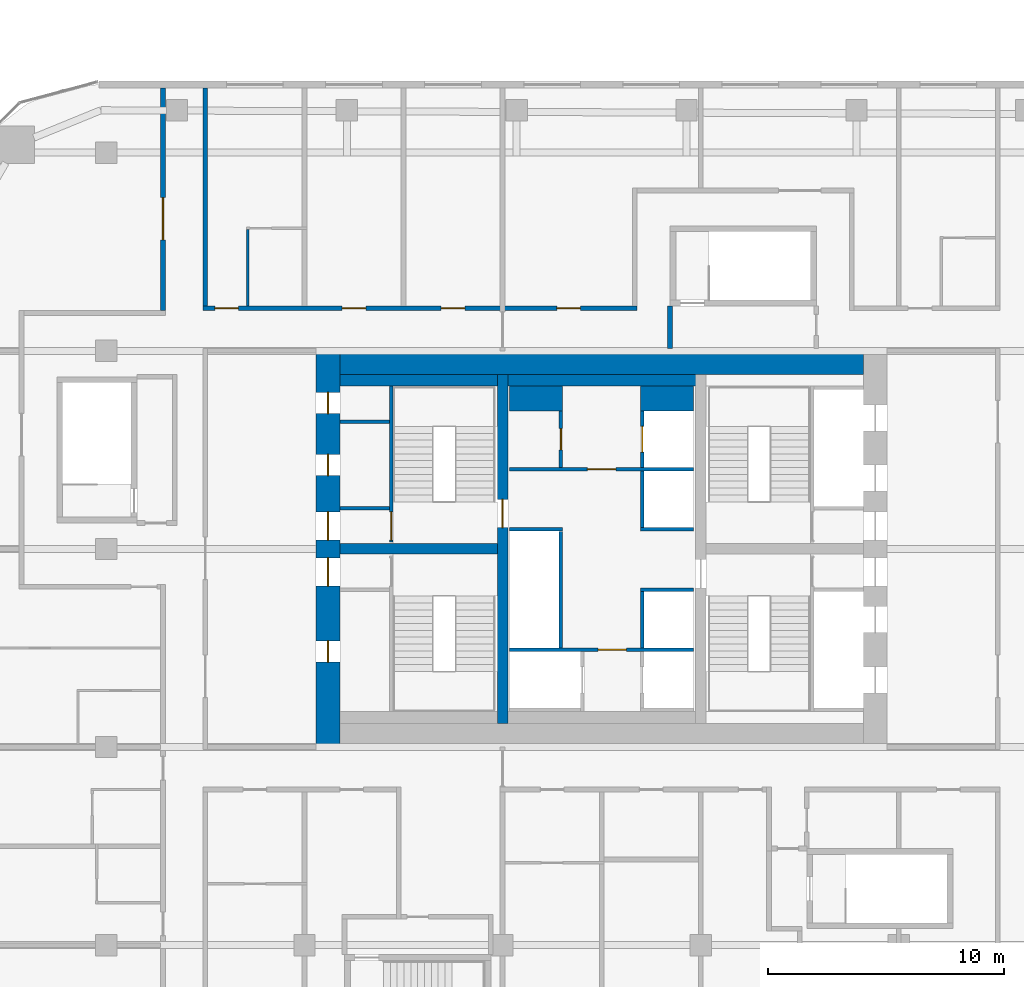
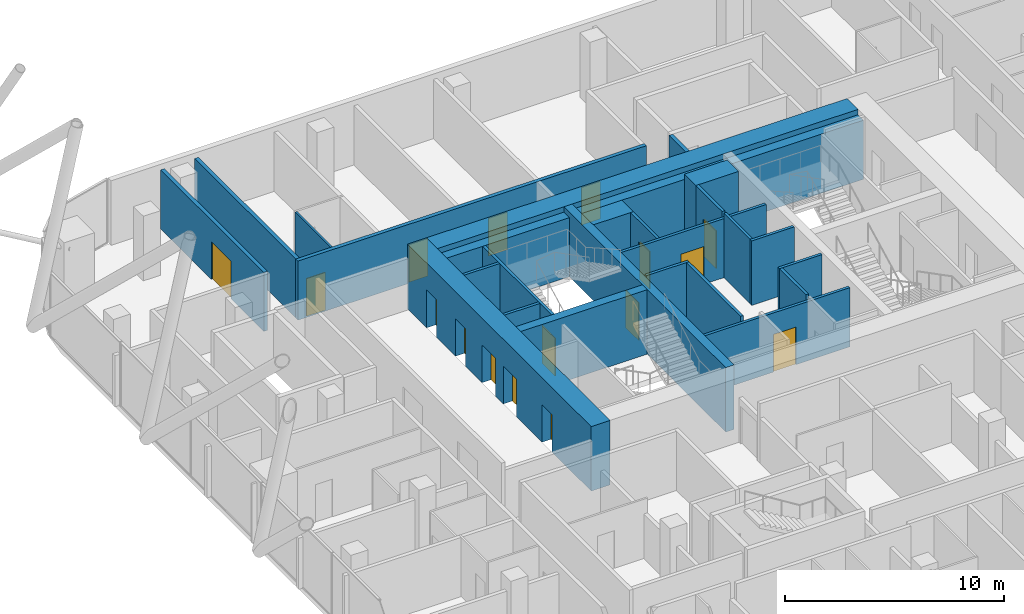
# One storey, part 30 of 34: 25 walls, 16 doors, 16 openings.
"""IFC4 building model written with IfcOpenShell, lengths in metres."""

from ifc_helpers import new_model, si_unit, direction, frame, frame_2d, origin, place, context, subcontext, project, spatial, rectangle, extrude, material, layer, layer_set, type_object, element, fill, save


model = new_model("IFC4")

# Units and contexts
model_context = context("Model", 3, precision=1e-05, world=origin(), true_north=direction((0.0, 1.0)))
body_context = subcontext(model_context, "Body", "Model", "MODEL_VIEW")
ifc_project = project(units=[si_unit("LENGTHUNIT", "METRE"), si_unit("AREAUNIT", "SQUARE_METRE"), si_unit("VOLUMEUNIT", "CUBIC_METRE"), si_unit("PLANEANGLEUNIT", "RADIAN"), si_unit("MASSUNIT", "GRAM", prefix="KILO")], contexts=[model_context])

# Site, building, storey
site_placement = place(None, origin())
site = spatial("IfcSite", under=ifc_project, at=site_placement, CompositionType="ELEMENT")
building_placement = place(site_placement, origin())
building = spatial("IfcBuilding", under=site, at=building_placement, Name="Marenta Gate Hotel Tower", CompositionType="ELEMENT")
storey_placement = place(building_placement, frame((0.0, 0.0, 166.10009765625)))
storey = spatial("IfcBuildingStorey", under=building, at=storey_placement, Name="L39", CompositionType="ELEMENT", Elevation=166.10009765625)

# Wall
ifc_material_1 = material(Name="Concrete C40", Category="concrete")
ifc_layer_1 = layer(ifc_material_1, 0.5)
ifc_layer_set_1 = layer_set([ifc_layer_1], Name="Concrete C40")
wall_type_1 = type_object("IfcWallType", Name="Core lining wall 500 REI 180", PredefinedType="PARTITIONING", material=ifc_layer_set_1)
wall_1_placement = place(storey_placement, frame((-11.10009765625, 15.550048828125, 0.0), z_axis=(0.0, 0.0, 1.0), x_axis=(1.0, 0.0, 0.0)))
element("IfcWall", 1, at=wall_1_placement, inside=storey, type_object=wall_type_1, Name="L39-CP-LN-N", PredefinedType="PARTITIONING", context=body_context, shape_type="SweptSolid", body=[
    extrude(rectangle(XDim=22.2001953125, YDim=0.5, at=frame_2d((11.10009765625, 0.0))), origin(), (0.0, 0.0, 1.0), 3.2998046875),
])

# Wall, opening, door
ifc_material_2 = material(Name="Concrete blockwork", Category="masonry")
ifc_layer_2 = layer(ifc_material_2, 0.14990234375)
ifc_layer_set_2 = layer_set([ifc_layer_2], Name="Concrete blockwork")
wall_type_2 = type_object("IfcWallType", Name="Core lobby partition 150 REI 180", PredefinedType="PARTITIONING", material=ifc_layer_set_2)
wall_2_placement = place(storey_placement, frame((-3.89990234375, 4.125, 0.0), z_axis=(0.0, 0.0, 1.0), x_axis=(1.0, 0.0, 0.0)))
wall_2 = element("IfcWall", 2, at=wall_2_placement, inside=storey, type_object=wall_type_2, Name="L39-CP-CW-S", PredefinedType="PARTITIONING", context=body_context, shape_type="SweptSolid", body=[
    extrude(rectangle(XDim=7.7998046875, YDim=0.14990234375, at=frame_2d((3.89990234375, 0.0))), origin(), (0.0, 0.0, 1.0), 3.2998046875),
])
opening_1_placement = place(wall_2_placement, frame((3.75, 0.0, 0.0)))
opening_1 = element("IfcOpeningElement", 3, at=opening_1_placement, cuts=wall_2, Name="Opening FD-FFS", PredefinedType="OPENING", context=body_context, shape_type="SweptSolid", body=[
    extrude(rectangle(XDim=1.199951171875, YDim=2.10009765625, at=frame_2d((0.60009765625, 1.050048828125))), frame((0.0, 0.074951171875, 0.0), z_axis=(0.0, -1.0, 0.0), x_axis=(1.0, 0.0, 0.0)), (0.0, 0.0, 1.0), 0.14990234375),
])
ifc_material_3 = material(Name="Steel", Category="steel")
door_type_1 = type_object("IfcDoorType", Name="Core lobby door 1200x2100 FD60", OperationType="SINGLE_SWING_LEFT", PredefinedType="DOOR", material=ifc_material_3)
door_1_placement = place(opening_1_placement, origin())
door_1 = element("IfcDoor", 4, at=door_1_placement, inside=storey, type_object=door_type_1, Name="FD-FFS", OperationType="SINGLE_SWING_LEFT", OverallHeight=2.10009765625, OverallWidth=1.199951171875, PredefinedType="DOOR", context=body_context, shape_type="SweptSolid", body=[
    extrude(rectangle(XDim=1.199951171875, YDim=2.10009765625, at=frame_2d((0.60009765625, 1.050048828125))), frame((0.0, 0.02490234375, 0.0), z_axis=(0.0, -1.0, 0.0), x_axis=(1.0, 0.0, 0.0)), (0.0, 0.0, 1.0), 0.050048828125),
])
fill(opening_1, door_1)

wall_3_placement = place(storey_placement, frame((-3.89990234375, 11.77490234375, 0.0), z_axis=(0.0, 0.0, 1.0), x_axis=(1.0, 0.0, 0.0)))
wall_3 = element("IfcWall", 5, at=wall_3_placement, inside=storey, type_object=wall_type_2, Name="L39-CP-CW-N", PredefinedType="PARTITIONING", context=body_context, shape_type="SweptSolid", body=[
    extrude(rectangle(XDim=7.7998046875, YDim=0.14990234375, at=frame_2d((3.89990234375, 0.0))), origin(), (0.0, 0.0, 1.0), 3.2998046875),
])
opening_2_placement = place(wall_3_placement, frame((3.300048828125, 0.0, 0.0)))
opening_2 = element("IfcOpeningElement", 6, at=opening_2_placement, cuts=wall_3, Name="Opening FD-FFN", PredefinedType="OPENING", context=body_context, shape_type="SweptSolid", body=[
    extrude(rectangle(XDim=1.199951171875, YDim=2.10009765625, at=frame_2d((0.60009765625, 1.050048828125))), frame((0.0, 0.074951171875, 0.0), z_axis=(0.0, -1.0, 0.0), x_axis=(1.0, 0.0, 0.0)), (0.0, 0.0, 1.0), 0.14990234375),
])
door_2_placement = place(opening_2_placement, origin())
door_2 = element("IfcDoor", 7, at=door_2_placement, inside=storey, type_object=door_type_1, Name="FD-FFN", OperationType="SINGLE_SWING_LEFT", OverallHeight=2.10009765625, OverallWidth=1.199951171875, PredefinedType="DOOR", context=body_context, shape_type="SweptSolid", body=[
    extrude(rectangle(XDim=1.199951171875, YDim=2.10009765625, at=frame_2d((0.60009765625, 1.050048828125))), frame((0.0, 0.02490234375, 0.0), z_axis=(0.0, -1.0, 0.0), x_axis=(1.0, 0.0, 0.0)), (0.0, 0.0, 1.0), 0.050048828125),
])
fill(opening_2, door_2)

# Walls
ifc_material_4 = material(Name="Concrete blockwork", Category="masonry")
ifc_layer_3 = layer(ifc_material_4, 1.050048828125)
ifc_layer_set_3 = layer_set([ifc_layer_3], Name="Concrete blockwork")
wall_type_3 = type_object("IfcWallType", Name="Core room partition 1050 REI 180", PredefinedType="PARTITIONING", material=ifc_layer_set_3)
wall_4_placement = place(storey_placement, frame((-3.89990234375, 14.77490234375, 0.0), z_axis=(0.0, 0.0, 1.0), x_axis=(1.0, 0.0, 0.0)))
element("IfcWall", 8, at=wall_4_placement, inside=storey, type_object=wall_type_3, Name="L39-CP-CW-W-riser-N", PredefinedType="PARTITIONING", context=body_context, shape_type="SweptSolid", body=[
    extrude(rectangle(XDim=2.25, YDim=1.050048828125, at=frame_2d((1.125, 0.0))), origin(), (0.0, 0.0, 1.0), 3.2998046875),
])
ifc_material_5 = material(Name="Concrete blockwork", Category="masonry")
ifc_layer_4 = layer(ifc_material_5, 0.14990234375)
ifc_layer_set_4 = layer_set([ifc_layer_4], Name="Concrete blockwork")
wall_type_4 = type_object("IfcWallType", Name="Core room partition 150 REI 180", PredefinedType="PARTITIONING", material=ifc_layer_set_4)
for number, where, z_axis, x_axis, name in (
    (9, (-11.10009765625, 10.125, 0.0), (0.0, 0.0, 1.0), (1.0, 0.0, 0.0), "L39-CP-SW-WN-2"),
    (10, (-11.10009765625, 13.800048828125, 0.0), (0.0, 0.0, 1.0), (1.0, 0.0, 0.0), "L39-CP-RW-WN-1"),
):
    element("IfcWall", number, at=place(storey_placement, frame(where, z_axis=z_axis, x_axis=x_axis)), inside=storey, type_object=wall_type_4, Name=name, PredefinedType="PARTITIONING", context=body_context, shape_type="SweptSolid", body=[
        extrude(rectangle(XDim=2.10009765625, YDim=0.14990234375, at=frame_2d((1.050048828125, 0.0))), origin(), (0.0, 0.0, 1.0), 3.2998046875),
    ])

# Wall, opening, door
wall_5_placement = place(storey_placement, frame((-1.72509765625, 11.85009765625, 0.0), z_axis=(0.0, 0.0, 1.0), x_axis=(0.0, 1.0, 0.0)))
wall_5 = element("IfcWall", 11, at=wall_5_placement, inside=storey, type_object=wall_type_4, Name="L39-CP-CW-W-riser-front", PredefinedType="PARTITIONING", context=body_context, shape_type="SweptSolid", body=[
    extrude(rectangle(XDim=2.39990234375, YDim=0.14990234375, at=frame_2d((1.199951171875, 0.0))), origin(), (0.0, 0.0, 1.0), 3.2998046875),
])
opening_3_placement = place(wall_5_placement, frame((0.75, 0.0, 0.0)))
opening_3 = element("IfcOpeningElement", 12, at=opening_3_placement, cuts=wall_5, Name="Opening RD-CRISER", PredefinedType="OPENING", context=body_context, shape_type="SweptSolid", body=[
    extrude(rectangle(XDim=0.89990234375, YDim=2.10009765625, at=frame_2d((0.449951171875, 1.050048828125))), frame((0.0, 0.074951171875, 0.0), z_axis=(0.0, -1.0, 0.0), x_axis=(1.0, 0.0, 0.0)), (0.0, 0.0, 1.0), 0.14990234375),
])
ifc_material_6 = material(Name="Steel", Category="steel")
door_type_2 = type_object("IfcDoorType", Name="Core riser door 900x2100 FD60", OperationType="SINGLE_SWING_LEFT", PredefinedType="DOOR", material=ifc_material_6)
door_3_placement = place(opening_3_placement, origin())
door_3 = element("IfcDoor", 13, at=door_3_placement, inside=storey, type_object=door_type_2, Name="RD-CRISER", OperationType="SINGLE_SWING_LEFT", OverallHeight=2.10009765625, OverallWidth=0.89990234375, PredefinedType="DOOR", context=body_context, shape_type="SweptSolid", body=[
    extrude(rectangle(XDim=0.89990234375, YDim=2.10009765625, at=frame_2d((0.449951171875, 1.050048828125))), frame((0.0, 0.02490234375, 0.0), z_axis=(0.0, -1.0, 0.0), x_axis=(1.0, 0.0, 0.0)), (0.0, 0.0, 1.0), 0.050048828125),
])
fill(opening_3, door_3)

# Walls
ifc_material_7 = material(Name="Concrete C40", Category="concrete")
ifc_layer_5 = layer(ifc_material_7, 1.050048828125)
ifc_layer_set_5 = layer_set([ifc_layer_5], Name="Concrete C40")
wall_type_5 = type_object("IfcWallType", Name="Core shaft wall 1050 REI 180", PredefinedType="SHEAR", material=ifc_layer_set_5)
wall_6_placement = place(storey_placement, frame((1.64990234375, 14.77490234375, 0.0), z_axis=(0.0, 0.0, 1.0), x_axis=(1.0, 0.0, 0.0)))
element("IfcWall", 14, at=wall_6_placement, inside=storey, type_object=wall_type_5, Name="L39-SHF-CE-N-top", PredefinedType="SHEAR", context=body_context, shape_type="SweptSolid", body=[
    extrude(rectangle(XDim=2.25, YDim=1.050048828125, at=frame_2d((1.125, 0.0))), origin(), (0.0, 0.0, 1.0), 3.599853515625),
])
ifc_material_8 = material(Name="Concrete C40", Category="concrete")
ifc_layer_6 = layer(ifc_material_8, 0.14990234375)
ifc_layer_set_6 = layer_set([ifc_layer_6], Name="Concrete C40")
wall_type_6 = type_object("IfcWallType", Name="Core shaft wall 150 REI 180", PredefinedType="SHEAR", material=ifc_layer_set_6)
wall_7_placement = place(storey_placement, frame((-1.72509765625, 4.199951171875, 0.0), z_axis=(0.0, 0.0, 1.0), x_axis=(0.0, 1.0, 0.0)))
element("IfcWall", 15, at=wall_7_placement, inside=storey, type_object=wall_type_6, Name="L39-SHF-CW-W-front", PredefinedType="SHEAR", context=body_context, shape_type="SweptSolid", body=[
    extrude(rectangle(XDim=4.949951171875, YDim=0.14990234375, at=frame_2d((2.47509765625, 0.0))), origin(), (0.0, 0.0, 1.0), 3.599853515625),
])
wall_8_placement = place(storey_placement, frame((-3.89990234375, 9.22509765625, 0.0), z_axis=(0.0, 0.0, 1.0), x_axis=(1.0, 0.0, 0.0)))
element("IfcWall", 16, at=wall_8_placement, inside=storey, type_object=wall_type_6, Name="L39-SHF-CW-W-sep", PredefinedType="SHEAR", context=body_context, shape_type="SweptSolid", body=[
    extrude(rectangle(XDim=2.25, YDim=0.14990234375, at=frame_2d((1.125, 0.0))), origin(), (0.0, 0.0, 1.0), 3.599853515625),
])

# Wall, opening, door
wall_9_placement = place(storey_placement, frame((1.72509765625, 11.85009765625, 0.0), z_axis=(0.0, 0.0, 1.0), x_axis=(0.0, 1.0, 0.0)))
wall_9 = element("IfcWall", 17, at=wall_9_placement, inside=storey, type_object=wall_type_6, Name="L39-SHF-CE-N-front2", PredefinedType="SHEAR", context=body_context, shape_type="SweptSolid", body=[
    extrude(rectangle(XDim=2.39990234375, YDim=0.14990234375, at=frame_2d((1.199951171875, 0.0))), origin(), (0.0, 0.0, 1.0), 3.599853515625),
])
opening_4_placement = place(wall_9_placement, frame((0.64990234375, 0.0, 0.0)))
opening_4 = element("IfcOpeningElement", 18, at=opening_4_placement, cuts=wall_9, Name="Opening LD-FF2", PredefinedType="OPENING", context=body_context, shape_type="SweptSolid", body=[
    extrude(rectangle(XDim=1.10009765625, YDim=2.10009765625, at=frame_2d((0.550048828125, 1.050048828125))), frame((0.0, 0.074951171875, 0.0), z_axis=(0.0, -1.0, 0.0), x_axis=(1.0, 0.0, 0.0)), (0.0, 0.0, 1.0), 0.14990234375),
])
ifc_material_9 = material(Name="Steel", Category="steel")
door_type_3 = type_object("IfcDoorType", Name="Core lift landing door 1100x2100 E 60", OperationType="SLIDING_TO_LEFT", PredefinedType="DOOR", material=ifc_material_9)
door_4_placement = place(opening_4_placement, origin())
door_4 = element("IfcDoor", 19, at=door_4_placement, inside=storey, type_object=door_type_3, Name="LD-FF2", OperationType="SLIDING_TO_LEFT", OverallHeight=2.10009765625, OverallWidth=1.10009765625, PredefinedType="DOOR", context=body_context, shape_type="SweptSolid", body=[
    extrude(rectangle(XDim=1.10009765625, YDim=2.10009765625, at=frame_2d((0.550048828125, 1.050048828125))), frame((0.0, 0.02490234375, 0.0), z_axis=(0.0, -1.0, 0.0), x_axis=(1.0, 0.0, 0.0)), (0.0, 0.0, 1.0), 0.050048828125),
])
fill(opening_4, door_4)

# Walls
for number, where, z_axis, x_axis, name in (
    (20, (1.64990234375, 6.675048828125, 0.0), (0.0, 0.0, 1.0), (1.0, 0.0, 0.0), "L39-SHF-CE-sep1"),
    (21, (1.64990234375, 9.22509765625, 0.0), (0.0, 0.0, 1.0), (1.0, 0.0, 0.0), "L39-SHF-CE-sep2"),
):
    element("IfcWall", number, at=place(storey_placement, frame(where, z_axis=z_axis, x_axis=x_axis)), inside=storey, type_object=wall_type_6, Name=name, PredefinedType="SHEAR", context=body_context, shape_type="SweptSolid", body=[
        extrude(rectangle(XDim=2.25, YDim=0.14990234375, at=frame_2d((1.125, 0.0))), origin(), (0.0, 0.0, 1.0), 3.599853515625),
    ])
wall_10_placement = place(storey_placement, frame((1.72509765625, 4.199951171875, 0.0), z_axis=(0.0, 0.0, 1.0), x_axis=(0.0, 1.0, 0.0)))
element("IfcWall", 22, at=wall_10_placement, inside=storey, type_object=wall_type_6, Name="L39-SHF-CE-front-1", PredefinedType="SHEAR", context=body_context, shape_type="SweptSolid", body=[
    extrude(rectangle(XDim=2.400146484375, YDim=0.14990234375, at=frame_2d((1.2001953125, 0.0))), origin(), (0.0, 0.0, 1.0), 3.599853515625),
])
wall_11_placement = place(storey_placement, frame((1.72509765625, 9.300048828125, 0.0), z_axis=(0.0, 0.0, 1.0), x_axis=(0.0, 1.0, 0.0)))
element("IfcWall", 23, at=wall_11_placement, inside=storey, type_object=wall_type_6, Name="L39-SHF-CE-front-2", PredefinedType="SHEAR", context=body_context, shape_type="SweptSolid", body=[
    extrude(rectangle(XDim=2.39990234375, YDim=0.14990234375, at=frame_2d((1.199951171875, 0.0))), origin(), (0.0, 0.0, 1.0), 3.599853515625),
])

# Wall, opening, door
ifc_material_10 = material(Name="Concrete C40", Category="concrete")
ifc_layer_7 = layer(ifc_material_10, 0.14990234375)
ifc_layer_set_7 = layer_set([ifc_layer_7], Name="Concrete C40")
wall_type_7 = type_object("IfcWallType", Name="Core stair enclosure wall 150 REI 180", PredefinedType="SHEAR", material=ifc_layer_set_7)
wall_12_placement = place(storey_placement, frame((-8.925048828125, 8.699951171875, 0.0), z_axis=(0.0, 0.0, 1.0), x_axis=(0.0, 1.0, 0.0)))
wall_12 = element("IfcWall", 24, at=wall_12_placement, inside=storey, type_object=wall_type_7, Name="L39-SHF-SW-WN-3", PredefinedType="SHEAR", context=body_context, shape_type="SweptSolid", body=[
    extrude(rectangle(XDim=6.60009765625, YDim=0.14990234375, at=frame_2d((3.300048828125, 0.0))), origin(), (0.0, 0.0, 1.0), 3.2998046875),
])
opening_5_placement = place(wall_12_placement, frame((0.074951171875, 0.0, 0.0)))
opening_5 = element("IfcOpeningElement", 25, at=opening_5_placement, cuts=wall_12, Name="Opening SD-WN", PredefinedType="OPENING", context=body_context, shape_type="SweptSolid", body=[
    extrude(rectangle(XDim=1.199951171875, YDim=2.10009765625, at=frame_2d((0.60009765625, 1.050048828125))), frame((0.0, 0.074951171875, 0.0), z_axis=(0.0, -1.0, 0.0), x_axis=(1.0, 0.0, 0.0)), (0.0, 0.0, 1.0), 0.14990234375),
])
ifc_material_11 = material(Name="Steel", Category="steel")
door_type_4 = type_object("IfcDoorType", Name="Core stair door 1200x2100 FD60", OperationType="SINGLE_SWING_LEFT", PredefinedType="DOOR", material=ifc_material_11)
door_5_placement = place(opening_5_placement, origin())
door_5 = element("IfcDoor", 26, at=door_5_placement, inside=storey, type_object=door_type_4, Name="SD-WN", OperationType="SINGLE_SWING_LEFT", OverallHeight=2.10009765625, OverallWidth=1.199951171875, PredefinedType="DOOR", context=body_context, shape_type="SweptSolid", body=[
    extrude(rectangle(XDim=1.199951171875, YDim=2.10009765625, at=frame_2d((0.60009765625, 1.050048828125))), frame((0.0, 0.02490234375, 0.0), z_axis=(0.0, -1.0, 0.0), x_axis=(1.0, 0.0, 0.0)), (0.0, 0.0, 1.0), 0.050048828125),
])
fill(opening_5, door_5)

# Wall, openings, doors
ifc_material_12 = material(Name="Concrete C70", Category="concrete")
ifc_layer_8 = layer(ifc_material_12, 1.0)
ifc_layer_set_8 = layer_set([ifc_layer_8], Name="Concrete C70")
wall_type_8 = type_object("IfcWallType", Name="Core wall 1000 C70", PredefinedType="SHEAR", material=ifc_layer_set_8)
wall_13_placement = place(storey_placement, frame((-11.60009765625, 0.0, 0.0), z_axis=(0.0, 0.0, 1.0), x_axis=(0.0, 1.0, 0.0)))
wall_13 = element("IfcWall", 27, at=wall_13_placement, inside=storey, type_object=wall_type_8, Name="L39-CORE-W", PredefinedType="SHEAR", context=body_context, shape_type="SweptSolid", body=[
    extrude(rectangle(XDim=16.800048828125, YDim=1.0, at=frame_2d((8.39990234375, 0.0))), origin(), (0.0, 0.0, 1.0), 3.599853515625),
])
opening_6_placement = place(wall_13_placement, frame((3.60009765625, 0.0, 0.0)))
opening_6 = element("IfcOpeningElement", 28, at=opening_6_placement, cuts=wall_13, Name="Opening RD-WS-1", PredefinedType="OPENING", context=body_context, shape_type="SweptSolid", body=[
    extrude(rectangle(XDim=0.89990234375, YDim=2.10009765625, at=frame_2d((0.449951171875, 1.050048828125))), frame((0.0, 0.5, 0.0), z_axis=(0.0, -1.0, 0.0), x_axis=(1.0, 0.0, 0.0)), (0.0, 0.0, 1.0), 1.0),
])
opening_7_placement = place(wall_13_placement, frame((6.824951171875, 0.0, 0.0)))
opening_7 = element("IfcOpeningElement", 29, at=opening_7_placement, cuts=wall_13, Name="Opening PD-WS", PredefinedType="OPENING", context=body_context, shape_type="SweptSolid", body=[
    extrude(rectangle(XDim=1.199951171875, YDim=2.10009765625, at=frame_2d((0.60009765625, 1.050048828125))), frame((0.0, 0.5, 0.0), z_axis=(0.0, -1.0, 0.0), x_axis=(1.0, 0.0, 0.0)), (0.0, 0.0, 1.0), 1.0),
])
opening_8_placement = place(wall_13_placement, frame((14.137451171875, 0.0, 0.0)))
opening_8 = element("IfcOpeningElement", 30, at=opening_8_placement, cuts=wall_13, Name="Opening RD-WN-1", PredefinedType="OPENING", context=body_context, shape_type="SweptSolid", body=[
    extrude(rectangle(XDim=0.89990234375, YDim=2.10009765625, at=frame_2d((0.449951171875, 1.050048828125))), frame((0.0, 0.5, 0.0), z_axis=(0.0, -1.0, 0.0), x_axis=(1.0, 0.0, 0.0)), (0.0, 0.0, 1.0), 1.0),
])
opening_9_placement = place(wall_13_placement, frame((11.512451171875, 0.0, 0.0)))
opening_9 = element("IfcOpeningElement", 31, at=opening_9_placement, cuts=wall_13, Name="Opening RD-WN-2", PredefinedType="OPENING", context=body_context, shape_type="SweptSolid", body=[
    extrude(rectangle(XDim=0.89990234375, YDim=2.10009765625, at=frame_2d((0.449951171875, 1.050048828125))), frame((0.0, 0.5, 0.0), z_axis=(0.0, -1.0, 0.0), x_axis=(1.0, 0.0, 0.0)), (0.0, 0.0, 1.0), 1.0),
])
opening_10_placement = place(wall_13_placement, frame((8.77490234375, 0.0, 0.0)))
opening_10 = element("IfcOpeningElement", 32, at=opening_10_placement, cuts=wall_13, Name="Opening PD-WN", PredefinedType="OPENING", context=body_context, shape_type="SweptSolid", body=[
    extrude(rectangle(XDim=1.199951171875, YDim=2.10009765625, at=frame_2d((0.60009765625, 1.050048828125))), frame((0.0, 0.5, 0.0), z_axis=(0.0, -1.0, 0.0), x_axis=(1.0, 0.0, 0.0)), (0.0, 0.0, 1.0), 1.0),
])
door_6_placement = place(opening_7_placement, origin())
door_6 = element("IfcDoor", 33, at=door_6_placement, inside=storey, type_object=door_type_1, Name="PD-WS", OperationType="SINGLE_SWING_LEFT", OverallHeight=2.10009765625, OverallWidth=1.199951171875, PredefinedType="DOOR", context=body_context, shape_type="SweptSolid", body=[
    extrude(rectangle(XDim=1.199951171875, YDim=2.10009765625, at=frame_2d((0.60009765625, 1.050048828125))), frame((0.0, 0.02490234375, 0.0), z_axis=(0.0, -1.0, 0.0), x_axis=(1.0, 0.0, 0.0)), (0.0, 0.0, 1.0), 0.050048828125),
])
fill(opening_7, door_6)
door_7_placement = place(opening_10_placement, origin())
door_7 = element("IfcDoor", 34, at=door_7_placement, inside=storey, type_object=door_type_1, Name="PD-WN", OperationType="SINGLE_SWING_LEFT", OverallHeight=2.10009765625, OverallWidth=1.199951171875, PredefinedType="DOOR", context=body_context, shape_type="SweptSolid", body=[
    extrude(rectangle(XDim=1.199951171875, YDim=2.10009765625, at=frame_2d((0.60009765625, 1.050048828125))), frame((0.0, 0.02490234375, 0.0), z_axis=(0.0, -1.0, 0.0), x_axis=(1.0, 0.0, 0.0)), (0.0, 0.0, 1.0), 0.050048828125),
])
fill(opening_10, door_7)
ifc_material_13 = material(Name="Steel", Category="steel")
door_type_5 = type_object("IfcDoorType", Name="Core service room door 900x2100 FD30S", OperationType="SINGLE_SWING_LEFT", PredefinedType="DOOR", material=ifc_material_13)
door_8_placement = place(opening_6_placement, origin())
door_8 = element("IfcDoor", 35, at=door_8_placement, inside=storey, type_object=door_type_5, Name="RD-WS-1", OperationType="SINGLE_SWING_LEFT", OverallHeight=2.10009765625, OverallWidth=0.89990234375, PredefinedType="DOOR", context=body_context, shape_type="SweptSolid", body=[
    extrude(rectangle(XDim=0.89990234375, YDim=2.10009765625, at=frame_2d((0.449951171875, 1.050048828125))), frame((0.0, 0.02490234375, 0.0), z_axis=(0.0, -1.0, 0.0), x_axis=(1.0, 0.0, 0.0)), (0.0, 0.0, 1.0), 0.050048828125),
])
fill(opening_6, door_8)
door_9_placement = place(opening_8_placement, origin())
door_9 = element("IfcDoor", 36, at=door_9_placement, inside=storey, type_object=door_type_5, Name="RD-WN-1", OperationType="SINGLE_SWING_LEFT", OverallHeight=2.10009765625, OverallWidth=0.89990234375, PredefinedType="DOOR", context=body_context, shape_type="SweptSolid", body=[
    extrude(rectangle(XDim=0.89990234375, YDim=2.10009765625, at=frame_2d((0.449951171875, 1.050048828125))), frame((0.0, 0.02490234375, 0.0), z_axis=(0.0, -1.0, 0.0), x_axis=(1.0, 0.0, 0.0)), (0.0, 0.0, 1.0), 0.050048828125),
])
fill(opening_8, door_9)
door_10_placement = place(opening_9_placement, origin())
door_10 = element("IfcDoor", 37, at=door_10_placement, inside=storey, type_object=door_type_5, Name="RD-WN-2", OperationType="SINGLE_SWING_LEFT", OverallHeight=2.10009765625, OverallWidth=0.89990234375, PredefinedType="DOOR", context=body_context, shape_type="SweptSolid", body=[
    extrude(rectangle(XDim=0.89990234375, YDim=2.10009765625, at=frame_2d((0.449951171875, 1.050048828125))), frame((0.0, 0.02490234375, 0.0), z_axis=(0.0, -1.0, 0.0), x_axis=(1.0, 0.0, 0.0)), (0.0, 0.0, 1.0), 0.050048828125),
])
fill(opening_9, door_10)

# Wall
wall_14_placement = place(storey_placement, frame((-11.10009765625, 16.300048828125, 0.0), z_axis=(0.0, 0.0, 1.0), x_axis=(1.0, 0.0, 0.0)))
element("IfcWall", 38, at=wall_14_placement, inside=storey, type_object=wall_type_8, Name="L39-CORE-N", PredefinedType="SHEAR", context=body_context, shape_type="SweptSolid", body=[
    extrude(rectangle(XDim=22.2001953125, YDim=1.0, at=frame_2d((11.10009765625, 0.0))), origin(), (0.0, 0.0, 1.0), 3.599853515625),
])

# Wall, opening, door
ifc_material_14 = material(Name="Concrete C70", Category="concrete")
ifc_layer_9 = layer(ifc_material_14, 0.449951171875)
ifc_layer_set_9 = layer_set([ifc_layer_9], Name="Concrete C70")
wall_type_9 = type_object("IfcWallType", Name="Core web 450 C70", PredefinedType="SHEAR", material=ifc_layer_set_9)
wall_15_placement = place(storey_placement, frame((-4.199951171875, 1.0, 0.0), z_axis=(0.0, 0.0, 1.0), x_axis=(0.0, 1.0, 0.0)))
wall_15 = element("IfcWall", 39, at=wall_15_placement, inside=storey, type_object=wall_type_9, Name="L39-CORE-W1", PredefinedType="SHEAR", context=body_context, shape_type="SweptSolid", body=[
    extrude(rectangle(XDim=14.800048828125, YDim=0.449951171875, at=frame_2d((7.39990234375, 0.0))), origin(), (0.0, 0.0, 1.0), 3.599853515625),
])
opening_11_placement = place(wall_15_placement, frame((8.300048828125, 0.0, 0.0)))
opening_11 = element("IfcOpeningElement", 40, at=opening_11_placement, cuts=wall_15, Name="Opening WD-W", PredefinedType="OPENING", context=body_context, shape_type="SweptSolid", body=[
    extrude(rectangle(XDim=1.199951171875, YDim=2.10009765625, at=frame_2d((0.60009765625, 1.050048828125))), frame((0.0, 0.22509765625, 0.0), z_axis=(0.0, -1.0, 0.0), x_axis=(1.0, 0.0, 0.0)), (0.0, 0.0, 1.0), 0.449951171875),
])
door_11_placement = place(opening_11_placement, origin())
door_11 = element("IfcDoor", 41, at=door_11_placement, inside=storey, type_object=door_type_4, Name="WD-W", OperationType="SINGLE_SWING_LEFT", OverallHeight=2.10009765625, OverallWidth=1.199951171875, PredefinedType="DOOR", context=body_context, shape_type="SweptSolid", body=[
    extrude(rectangle(XDim=1.199951171875, YDim=2.10009765625, at=frame_2d((0.60009765625, 1.050048828125))), frame((0.0, 0.02490234375, 0.0), z_axis=(0.0, -1.0, 0.0), x_axis=(1.0, 0.0, 0.0)), (0.0, 0.0, 1.0), 0.050048828125),
])
fill(opening_11, door_11)

# Walls
wall_16_placement = place(storey_placement, frame((-11.10009765625, 8.39990234375, 0.0), z_axis=(0.0, 0.0, 1.0), x_axis=(1.0, 0.0, 0.0)))
element("IfcWall", 42, at=wall_16_placement, inside=storey, type_object=wall_type_9, Name="L39-CORE-W3", PredefinedType="SHEAR", context=body_context, shape_type="SweptSolid", body=[
    extrude(rectangle(XDim=6.675048828125, YDim=0.449951171875, at=frame_2d((3.33740234375, 0.0))), origin(), (0.0, 0.0, 1.0), 3.599853515625),
])
ifc_material_15 = material(Name="Gypsum board on steel stud", Category="steel")
ifc_layer_10 = layer(ifc_material_15, 0.199951171875)
ifc_layer_set_10 = layer_set([ifc_layer_10], Name="Gypsum board on steel stud")
wall_type_10 = type_object("IfcWallType", Name="Room corridor wall 200 EI 60", PredefinedType="PARTITIONING", material=ifc_layer_set_10)
wall_17_placement = place(storey_placement, frame((-16.800048828125, 18.699951171875, 0.0), z_axis=(0.0, 0.0, 1.0), x_axis=(0.0, 1.0, 0.0)))
element("IfcWall", 43, at=wall_17_placement, inside=storey, type_object=wall_type_10, Name="L39-PTN-W098", PredefinedType="PARTITIONING", context=body_context, shape_type="SweptSolid", body=[
    extrude(rectangle(XDim=9.239990234375, YDim=0.199951171875, at=frame_2d((4.6201171875, 0.0))), origin(), (0.0, 0.0, 1.0), 3.2998046875),
])

# Wall, opening, door
wall_18_placement = place(storey_placement, frame((-18.60009765625, 18.5, 0.0), z_axis=(0.0, 0.0, 1.0), x_axis=(0.0, 1.0, 0.0)))
wall_18 = element("IfcWall", 44, at=wall_18_placement, inside=storey, type_object=wall_type_10, Name="L39-PTN-W104", PredefinedType="PARTITIONING", context=body_context, shape_type="SweptSolid", body=[
    extrude(rectangle(XDim=9.43994140625, YDim=0.199951171875, at=frame_2d((4.719970703125, 0.0))), origin(), (0.0, 0.0, 1.0), 3.2998046875),
])
opening_12_placement = place(wall_18_placement, frame((3.0, 0.0, 0.0)))
opening_12 = element("IfcOpeningElement", 45, at=opening_12_placement, cuts=wall_18, Name="Opening G14-54", PredefinedType="OPENING", context=body_context, shape_type="SweptSolid", body=[
    extrude(rectangle(XDim=1.800048828125, YDim=2.10009765625, at=frame_2d((0.89990234375, 1.050048828125))), frame((0.0, 0.10009765625, 0.0), z_axis=(0.0, -1.0, 0.0), x_axis=(1.0, 0.0, 0.0)), (0.0, 0.0, 1.0), 0.199951171875),
])
ifc_material_16 = material(Name="Timber door leaf", Category="wood")
door_type_6 = type_object("IfcDoorType", Name="Room amenity door 1800x2100 EI 30", OperationType="DOUBLE_DOOR_SINGLE_SWING", PredefinedType="DOOR", material=ifc_material_16)
door_12_placement = place(opening_12_placement, origin())
door_12 = element("IfcDoor", 46, at=door_12_placement, inside=storey, type_object=door_type_6, Name="L39-PD-D054", OperationType="DOUBLE_DOOR_SINGLE_SWING", OverallHeight=2.10009765625, OverallWidth=1.800048828125, PredefinedType="DOOR", context=body_context, shape_type="SweptSolid", body=[
    extrude(rectangle(XDim=1.800048828125, YDim=2.10009765625, at=frame_2d((0.89990234375, 1.050048828125))), frame((0.0, 0.02490234375, 0.0), z_axis=(0.0, -1.0, 0.0), x_axis=(1.0, 0.0, 0.0)), (0.0, 0.0, 1.0), 0.050048828125),
])
fill(opening_12, door_12)

# Wall, openings, doors
wall_19_placement = place(storey_placement, frame((-16.89990234375, 18.60009765625, 0.0), z_axis=(0.0, 0.0, 1.0), x_axis=(1.0, 0.0, 0.0)))
wall_19 = element("IfcWall", 47, at=wall_19_placement, inside=storey, type_object=wall_type_10, Name="L39-PTN-W105", PredefinedType="PARTITIONING", context=body_context, shape_type="SweptSolid", body=[
    extrude(rectangle(XDim=18.39990234375, YDim=0.199951171875, at=frame_2d((9.199951171875, 0.0))), origin(), (0.0, 0.0, 1.0), 3.2998046875),
])
opening_13_placement = place(wall_19_placement, frame((0.5, 0.0, 0.0)))
opening_13 = element("IfcOpeningElement", 48, at=opening_13_placement, cuts=wall_19, Name="Opening G14-25", PredefinedType="OPENING", context=body_context, shape_type="SweptSolid", body=[
    extrude(rectangle(XDim=1.0, YDim=2.10009765625, at=frame_2d((0.5, 1.050048828125))), frame((0.0, 0.10009765625, 0.0), z_axis=(0.0, -1.0, 0.0), x_axis=(1.0, 0.0, 0.0)), (0.0, 0.0, 1.0), 0.199951171875),
])
opening_14_placement = place(wall_19_placement, frame((15.0, 0.0, 0.0)))
opening_14 = element("IfcOpeningElement", 49, at=opening_14_placement, cuts=wall_19, Name="Opening G14-59", PredefinedType="OPENING", context=body_context, shape_type="SweptSolid", body=[
    extrude(rectangle(XDim=1.0, YDim=2.10009765625, at=frame_2d((0.5, 1.050048828125))), frame((0.0, 0.10009765625, 0.0), z_axis=(0.0, -1.0, 0.0), x_axis=(1.0, 0.0, 0.0)), (0.0, 0.0, 1.0), 0.199951171875),
])
opening_15_placement = place(wall_19_placement, frame((5.89990234375, 0.0, 0.0)))
opening_15 = element("IfcOpeningElement", 50, at=opening_15_placement, cuts=wall_19, Name="Opening G14-62", PredefinedType="OPENING", context=body_context, shape_type="SweptSolid", body=[
    extrude(rectangle(XDim=1.0, YDim=2.10009765625, at=frame_2d((0.5, 1.050048828125))), frame((0.0, 0.10009765625, 0.0), z_axis=(0.0, -1.0, 0.0), x_axis=(1.0, 0.0, 0.0)), (0.0, 0.0, 1.0), 0.199951171875),
])
opening_16_placement = place(wall_19_placement, frame((10.10009765625, 0.0, 0.0)))
opening_16 = element("IfcOpeningElement", 51, at=opening_16_placement, cuts=wall_19, Name="Opening G14-63", PredefinedType="OPENING", context=body_context, shape_type="SweptSolid", body=[
    extrude(rectangle(XDim=1.0, YDim=2.10009765625, at=frame_2d((0.5, 1.050048828125))), frame((0.0, 0.10009765625, 0.0), z_axis=(0.0, -1.0, 0.0), x_axis=(1.0, 0.0, 0.0)), (0.0, 0.0, 1.0), 0.199951171875),
])
ifc_material_17 = material(Name="Timber door leaf", Category="wood")
door_type_7 = type_object("IfcDoorType", Name="Guest room door 1000x2100 EI 30", OperationType="NOTDEFINED", PredefinedType="DOOR", material=ifc_material_17)
door_13_placement = place(opening_13_placement, origin())
door_13 = element("IfcDoor", 52, at=door_13_placement, inside=storey, type_object=door_type_7, Name="L39-PD-D025", OperationType="SINGLE_SWING_RIGHT", OverallHeight=2.10009765625, OverallWidth=1.0, PredefinedType="DOOR", context=body_context, shape_type="SweptSolid", body=[
    extrude(rectangle(XDim=1.0, YDim=2.10009765625, at=frame_2d((0.5, 1.050048828125))), frame((0.0, 0.02490234375, 0.0), z_axis=(0.0, -1.0, 0.0), x_axis=(1.0, 0.0, 0.0)), (0.0, 0.0, 1.0), 0.050048828125),
])
fill(opening_13, door_13)
ifc_material_18 = material(Name="Timber door leaf", Category="wood")
door_type_8 = type_object("IfcDoorType", Name="Room amenity door 1000x2100 EI 30", OperationType="NOTDEFINED", PredefinedType="DOOR", material=ifc_material_18)
door_14_placement = place(opening_14_placement, origin())
door_14 = element("IfcDoor", 53, at=door_14_placement, inside=storey, type_object=door_type_8, Name="L39-PD-D059", OperationType="SINGLE_SWING_RIGHT", OverallHeight=2.10009765625, OverallWidth=1.0, PredefinedType="DOOR", context=body_context, shape_type="SweptSolid", body=[
    extrude(rectangle(XDim=1.0, YDim=2.10009765625, at=frame_2d((0.5, 1.050048828125))), frame((0.0, 0.02490234375, 0.0), z_axis=(0.0, -1.0, 0.0), x_axis=(1.0, 0.0, 0.0)), (0.0, 0.0, 1.0), 0.050048828125),
])
fill(opening_14, door_14)
door_15_placement = place(opening_15_placement, origin())
door_15 = element("IfcDoor", 54, at=door_15_placement, inside=storey, type_object=door_type_8, Name="L39-PD-D062", OperationType="SINGLE_SWING_LEFT", OverallHeight=2.10009765625, OverallWidth=1.0, PredefinedType="DOOR", context=body_context, shape_type="SweptSolid", body=[
    extrude(rectangle(XDim=1.0, YDim=2.10009765625, at=frame_2d((0.5, 1.050048828125))), frame((0.0, 0.02490234375, 0.0), z_axis=(0.0, -1.0, 0.0), x_axis=(1.0, 0.0, 0.0)), (0.0, 0.0, 1.0), 0.050048828125),
])
fill(opening_15, door_15)
door_16_placement = place(opening_16_placement, origin())
door_16 = element("IfcDoor", 55, at=door_16_placement, inside=storey, type_object=door_type_8, Name="L39-PD-D063", OperationType="SINGLE_SWING_RIGHT", OverallHeight=2.10009765625, OverallWidth=1.0, PredefinedType="DOOR", context=body_context, shape_type="SweptSolid", body=[
    extrude(rectangle(XDim=1.0, YDim=2.10009765625, at=frame_2d((0.5, 1.050048828125))), frame((0.0, 0.02490234375, 0.0), z_axis=(0.0, -1.0, 0.0), x_axis=(1.0, 0.0, 0.0)), (0.0, 0.0, 1.0), 0.050048828125),
])
fill(opening_16, door_16)

# Walls
ifc_material_19 = material(Name="Concrete blockwork", Category="masonry")
ifc_layer_11 = layer(ifc_material_19, 0.199951171875)
ifc_layer_set_11 = layer_set([ifc_layer_11], Name="Concrete blockwork")
wall_type_11 = type_object("IfcWallType", Name="Room corridor wall 200 REI 180", PredefinedType="PARTITIONING", material=ifc_layer_set_11)
wall_20_placement = place(storey_placement, frame((2.89990234375, 16.89990234375, 0.0), z_axis=(0.0, 0.0, 1.0), x_axis=(0.0, 1.0, 0.0)))
element("IfcWall", 56, at=wall_20_placement, inside=storey, type_object=wall_type_11, Name="L39-PTN-W058", PredefinedType="PARTITIONING", context=body_context, shape_type="SweptSolid", body=[
    extrude(rectangle(XDim=1.800048828125, YDim=0.199951171875, at=frame_2d((0.89990234375, 0.0))), origin(), (0.0, 0.0, 1.0), 3.2998046875),
])
ifc_material_20 = material(Name="Gypsum board on steel stud", Category="steel")
ifc_layer_12 = layer(ifc_material_20, 0.10009765625)
ifc_layer_set_12 = layer_set([ifc_layer_12], Name="Gypsum board on steel stud")
wall_type_12 = type_object("IfcWallType", Name="Room partition 100", PredefinedType="PARTITIONING", material=ifc_layer_set_12)
wall_21_placement = place(storey_placement, frame((-15.0, 18.699951171875, 0.0), z_axis=(0.0, 0.0, 1.0), x_axis=(0.0, 1.0, 0.0)))
element("IfcWall", 57, at=wall_21_placement, inside=storey, type_object=wall_type_12, Name="L39-PTN-W093", PredefinedType="PARTITIONING", context=body_context, shape_type="SweptSolid", body=[
    extrude(rectangle(XDim=3.25, YDim=0.10009765625, at=frame_2d((1.625, 0.0))), origin(), (0.0, 0.0, 1.0), 3.2998046875),
])

save(model, "model.ifc")
